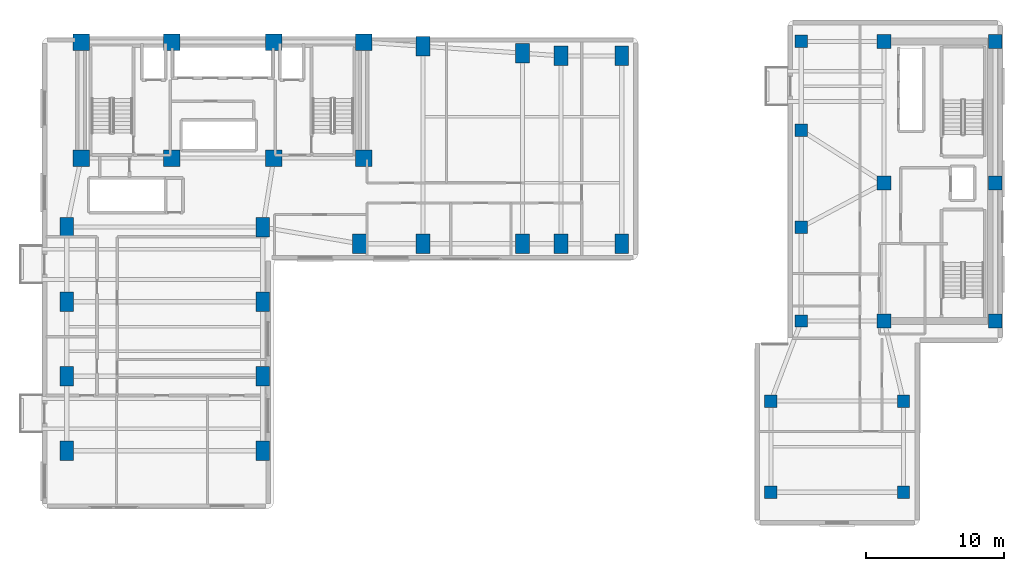
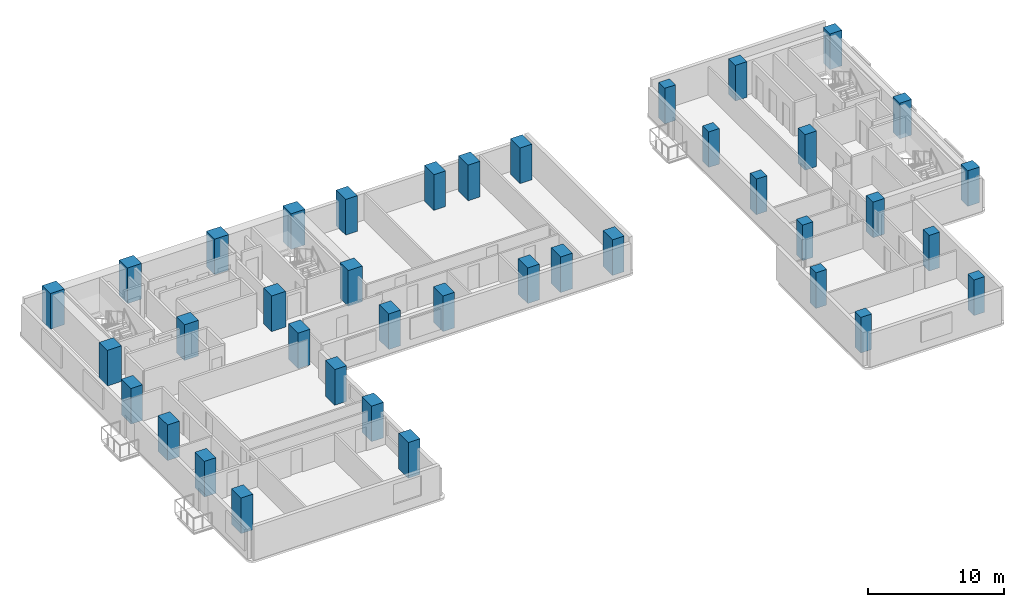
# One storey, part 1 of 15: 39 columns.
"""IFC4 building model written with IfcOpenShell, lengths in metres."""

from ifc_helpers import new_model, si_unit, direction, frame, origin, origin_2d, place, context, subcontext, project, spatial, rectangle, extrude, material, material_profile, profile_set, type_object, element, save


model = new_model("IFC4")

# Units and contexts
model_context = context("Model", 3, precision=1e-05, world=origin(), true_north=direction((0.0, 1.0)))
body_context = subcontext(model_context, "Body", "Model", "MODEL_VIEW")
ifc_project = project(units=[si_unit("LENGTHUNIT", "METRE"), si_unit("AREAUNIT", "SQUARE_METRE"), si_unit("VOLUMEUNIT", "CUBIC_METRE"), si_unit("PLANEANGLEUNIT", "RADIAN"), si_unit("MASSUNIT", "GRAM", prefix="KILO")], contexts=[model_context])

# Site, building, storey
site_placement = place(None, origin())
site = spatial("IfcSite", under=ifc_project, at=site_placement, CompositionType="ELEMENT")
building_placement = place(site_placement, origin())
building = spatial("IfcBuilding", under=site, at=building_placement, Name="Kuzgunbayir Cultural Tower", CompositionType="ELEMENT")
storey_placement = place(building_placement, frame((0.0, 0.0, 59.60009765625)))
storey = spatial("IfcBuildingStorey", under=building, at=storey_placement, Name="L16", CompositionType="ELEMENT", Elevation=59.60009765625)

# Columns
ifc_material = material(Name="Concrete C60/75", Category="concrete")
ifc_material_profile_1 = material_profile(ifc_material, rectangle(XDim=1.199951171875, YDim=1.199951171875, at=origin_2d()), Name="RC 1200x1200")
ifc_profile_set_1 = profile_set([ifc_material_profile_1], Name="Concrete C60/75")
column_type_1 = type_object("IfcColumnType", Name="COL-CORE-1200", PredefinedType="COLUMN", material=ifc_profile_set_1)
for number, where, z_axis, x_axis, name in (
    (1, (6.449951171875, 33.800048828125, 0.0), (0.0, 0.0, 1.0), (1.0, 0.0, 0.0), "L16 T1 Core Boundary Column CC1-1"),
    (2, (13.0, 33.800048828125, 0.0), (0.0, 0.0, 1.0), (1.0, 0.0, 0.0), "L16 T1 Core Boundary Column CC1-2"),
    (3, (20.39990234375, 33.800048828125, 0.0), (0.0, 0.0, 1.0), (1.0, 0.0, 0.0), "L16 T1 Core Boundary Column CC1-3"),
    (4, (26.89990234375, 33.800048828125, 0.0), (0.0, 0.0, 1.0), (1.0, 0.0, 0.0), "L16 T1 Core Boundary Column CC1-4"),
    (5, (6.449951171875, 42.199951171875, 0.0), (0.0, 0.0, 1.0), (1.0, 0.0, 0.0), "L16 T1 Core Boundary Column CC1-5"),
    (6, (13.0, 42.199951171875, 0.0), (0.0, 0.0, 1.0), (1.0, 0.0, 0.0), "L16 T1 Core Boundary Column CC1-6"),
    (7, (20.39990234375, 42.199951171875, 0.0), (0.0, 0.0, 1.0), (1.0, 0.0, 0.0), "L16 T1 Core Boundary Column CC1-7"),
    (8, (26.89990234375, 42.199951171875, 0.0), (0.0, 0.0, 1.0), (1.0, 0.0, 0.0), "L16 T1 Core Boundary Column CC1-8"),
):
    element("IfcColumn", number, at=place(storey_placement, frame(where, z_axis=z_axis, x_axis=x_axis)), inside=storey, type_object=column_type_1, Name=name, PredefinedType="COLUMN", context=body_context, shape_type="SweptSolid", body=[
        extrude(rectangle(XDim=1.199951171875, YDim=1.199951171875, at=origin_2d()), origin(), (0.0, 0.0, 1.0), 3.199951171875),
    ])
ifc_material_profile_2 = material_profile(ifc_material, rectangle(XDim=1.0, YDim=1.39990234375, at=origin_2d()), Name="RC 1400x1000")
ifc_profile_set_2 = profile_set([ifc_material_profile_2], Name="Concrete C60/75")
column_type_2 = type_object("IfcColumnType", Name="COL-T1-1400x1000", PredefinedType="COLUMN", material=ifc_profile_set_2)
for number, where, z_axis, x_axis, name in (
    (9, (5.39990234375, 12.60009765625, 0.0), (0.0, 0.0, 1.0), (1.0, 0.0, 0.0), "L16 Tower 1 Wing A Column T1A-W-1"),
    (10, (19.60009765625, 12.60009765625, 0.0), (0.0, 0.0, 1.0), (1.0, 0.0, 0.0), "L16 Tower 1 Wing A Column T1A-E-1"),
    (11, (5.39990234375, 18.0, 0.0), (0.0, 0.0, 1.0), (1.0, 0.0, 0.0), "L16 Tower 1 Wing A Column T1A-W-2"),
    (12, (19.60009765625, 18.0, 0.0), (0.0, 0.0, 1.0), (1.0, 0.0, 0.0), "L16 Tower 1 Wing A Column T1A-E-2"),
    (13, (5.39990234375, 23.39990234375, 0.0), (0.0, 0.0, 1.0), (1.0, 0.0, 0.0), "L16 Tower 1 Wing A Column T1A-W-3"),
    (14, (19.60009765625, 23.39990234375, 0.0), (0.0, 0.0, 1.0), (1.0, 0.0, 0.0), "L16 Tower 1 Wing A Column T1A-E-3"),
    (15, (5.39990234375, 28.800048828125, 0.0), (0.0, 0.0, 1.0), (1.0, 0.0, 0.0), "L16 Tower 1 Wing A Column T1A-W-4"),
    (16, (19.60009765625, 28.800048828125, 0.0), (0.0, 0.0, 1.0), (1.0, 0.0, 0.0), "L16 Tower 1 Wing A Column T1A-E-4"),
    (17, (26.60009765625, 27.60009765625, 0.0), (0.0, 0.0, 1.0), (1.0, 0.0, 0.0), "L16 Tower 1 Wing B Column T1B-1-1"),
    (18, (31.199951171875, 27.60009765625, 0.0), (0.0, 0.0, 1.0), (1.0, 0.0, 0.0), "L16 Tower 1 Wing B Column T1B-2-1"),
    (19, (31.199951171875, 41.89990234375, 0.0), (0.0, 0.0, 1.0), (1.0, 0.0, 0.0), "L16 Tower 1 Wing B Column T1B-2-2"),
    (20, (38.39990234375, 27.60009765625, 0.0), (0.0, 0.0, 1.0), (1.0, 0.0, 0.0), "L16 Tower 1 Wing B Column T1B-3-1"),
    (21, (38.39990234375, 41.39990234375, 0.0), (0.0, 0.0, 1.0), (1.0, 0.0, 0.0), "L16 Tower 1 Wing B Column T1B-3-2"),
    (22, (41.199951171875, 27.60009765625, 0.0), (0.0, 0.0, 1.0), (1.0, 0.0, 0.0), "L16 Tower 1 Wing B Column T1B-4-1"),
    (23, (41.199951171875, 41.199951171875, 0.0), (0.0, 0.0, 1.0), (1.0, 0.0, 0.0), "L16 Tower 1 Wing B Column T1B-4-2"),
    (24, (45.60009765625, 27.60009765625, 0.0), (0.0, 0.0, 1.0), (1.0, 0.0, 0.0), "L16 Tower 1 Wing B Column T1B-5-1"),
    (25, (45.60009765625, 41.199951171875, 0.0), (0.0, 0.0, 1.0), (1.0, 0.0, 0.0), "L16 Tower 1 Wing B Column T1B-5-2"),
):
    element("IfcColumn", number, at=place(storey_placement, frame(where, z_axis=z_axis, x_axis=x_axis)), inside=storey, type_object=column_type_2, Name=name, PredefinedType="COLUMN", context=body_context, shape_type="SweptSolid", body=[
        extrude(rectangle(XDim=1.0, YDim=1.39990234375, at=origin_2d()), origin(), (0.0, 0.0, 1.0), 3.199951171875),
    ])
ifc_material_profile_3 = material_profile(ifc_material, rectangle(XDim=1.0, YDim=1.0, at=origin_2d()), Name="RC 1000x1000")
ifc_profile_set_3 = profile_set([ifc_material_profile_3], Name="Concrete C60/75")
column_type_3 = type_object("IfcColumnType", Name="COL-T2-1000", PredefinedType="COLUMN", material=ifc_profile_set_3)
for number, where, z_axis, x_axis, name in (
    (26, (64.60009765625, 22.0, 0.0), (0.0, 0.0, 1.0), (1.0, 0.0, 0.0), "L16 T2 Core Boundary Column CC2-1"),
    (27, (72.64990234375, 22.0, 0.0), (0.0, 0.0, 1.0), (1.0, 0.0, 0.0), "L16 T2 Core Boundary Column CC2-2"),
    (28, (64.60009765625, 32.0, 0.0), (0.0, 0.0, 1.0), (1.0, 0.0, 0.0), "L16 T2 Core Boundary Column CC2-3"),
    (29, (72.64990234375, 32.0, 0.0), (0.0, 0.0, 1.0), (1.0, 0.0, 0.0), "L16 T2 Core Boundary Column CC2-4"),
    (30, (64.60009765625, 42.25, 0.0), (0.0, 0.0, 1.0), (1.0, 0.0, 0.0), "L16 T2 Core Boundary Column CC2-5"),
    (31, (72.64990234375, 42.25, 0.0), (0.0, 0.0, 1.0), (1.0, 0.0, 0.0), "L16 T2 Core Boundary Column CC2-6"),
):
    element("IfcColumn", number, at=place(storey_placement, frame(where, z_axis=z_axis, x_axis=x_axis)), inside=storey, type_object=column_type_3, Name=name, PredefinedType="COLUMN", context=body_context, shape_type="SweptSolid", body=[
        extrude(rectangle(XDim=1.0, YDim=1.0, at=origin_2d()), origin(), (0.0, 0.0, 1.0), 3.199951171875),
    ])
ifc_material_profile_4 = material_profile(ifc_material, rectangle(XDim=0.89990234375, YDim=0.89990234375, at=origin_2d()), Name="RC 900x900")
ifc_profile_set_4 = profile_set([ifc_material_profile_4], Name="Concrete C60/75")
column_type_4 = type_object("IfcColumnType", Name="COL-T2-900", PredefinedType="COLUMN", material=ifc_profile_set_4)
for number, where, z_axis, x_axis, name in (
    (32, (58.60009765625, 22.0, 0.0), (0.0, 0.0, 1.0), (1.0, 0.0, 0.0), "L16 Companion Wing A Column T2A-W-1"),
    (33, (58.60009765625, 28.800048828125, 0.0), (0.0, 0.0, 1.0), (1.0, 0.0, 0.0), "L16 Companion Wing A Column T2A-W-2"),
    (34, (58.60009765625, 35.800048828125, 0.0), (0.0, 0.0, 1.0), (1.0, 0.0, 0.0), "L16 Companion Wing A Column T2A-W-3"),
    (35, (58.60009765625, 42.25, 0.0), (0.0, 0.0, 1.0), (1.0, 0.0, 0.0), "L16 Companion Wing A Column T2A-W-4"),
    (36, (56.39990234375, 9.60009765625, 0.0), (0.0, 0.0, 1.0), (1.0, 0.0, 0.0), "L16 Companion Wing B Column T2B-1-1"),
    (37, (56.39990234375, 16.199951171875, 0.0), (0.0, 0.0, 1.0), (1.0, 0.0, 0.0), "L16 Companion Wing B Column T2B-1-2"),
    (38, (66.0, 9.60009765625, 0.0), (0.0, 0.0, 1.0), (1.0, 0.0, 0.0), "L16 Companion Wing B Column T2B-2-1"),
    (39, (66.0, 16.199951171875, 0.0), (0.0, 0.0, 1.0), (1.0, 0.0, 0.0), "L16 Companion Wing B Column T2B-2-2"),
):
    element("IfcColumn", number, at=place(storey_placement, frame(where, z_axis=z_axis, x_axis=x_axis)), inside=storey, type_object=column_type_4, Name=name, PredefinedType="COLUMN", context=body_context, shape_type="SweptSolid", body=[
        extrude(rectangle(XDim=0.89990234375, YDim=0.89990234375, at=origin_2d()), origin(), (0.0, 0.0, 1.0), 3.199951171875),
    ])

save(model, "model.ifc")
